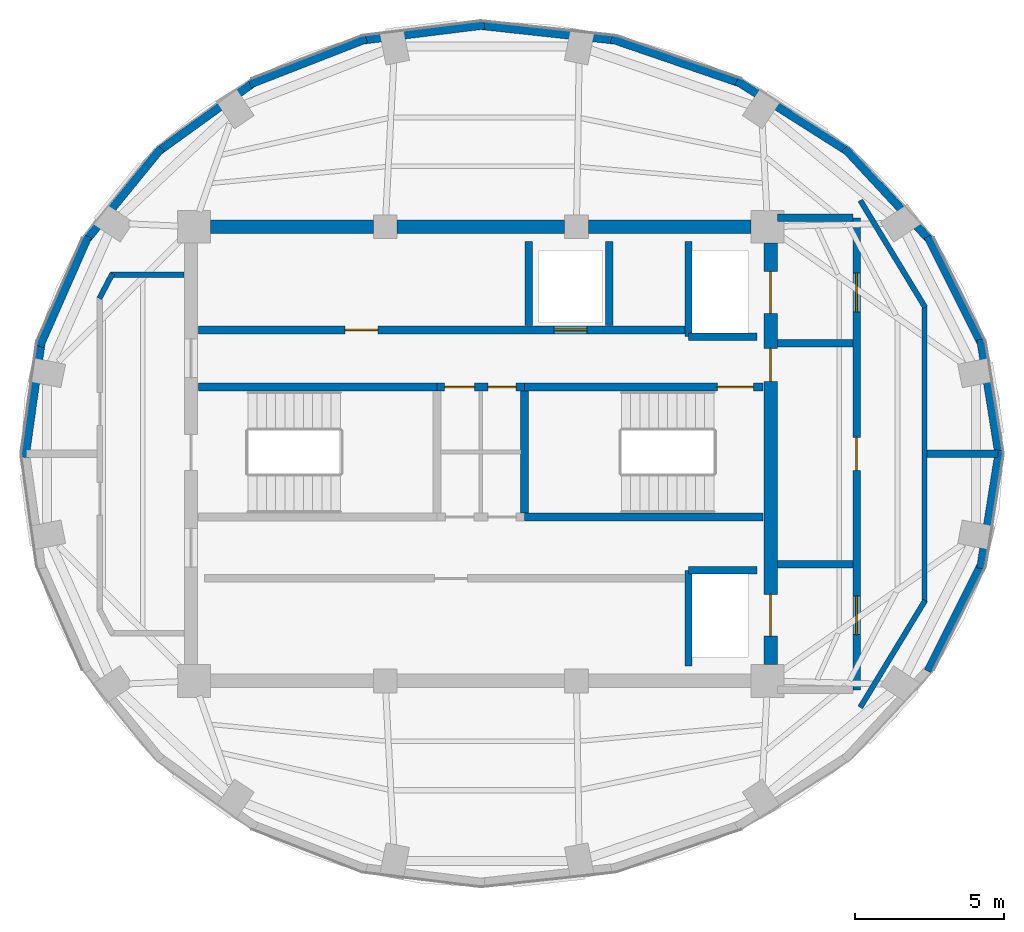
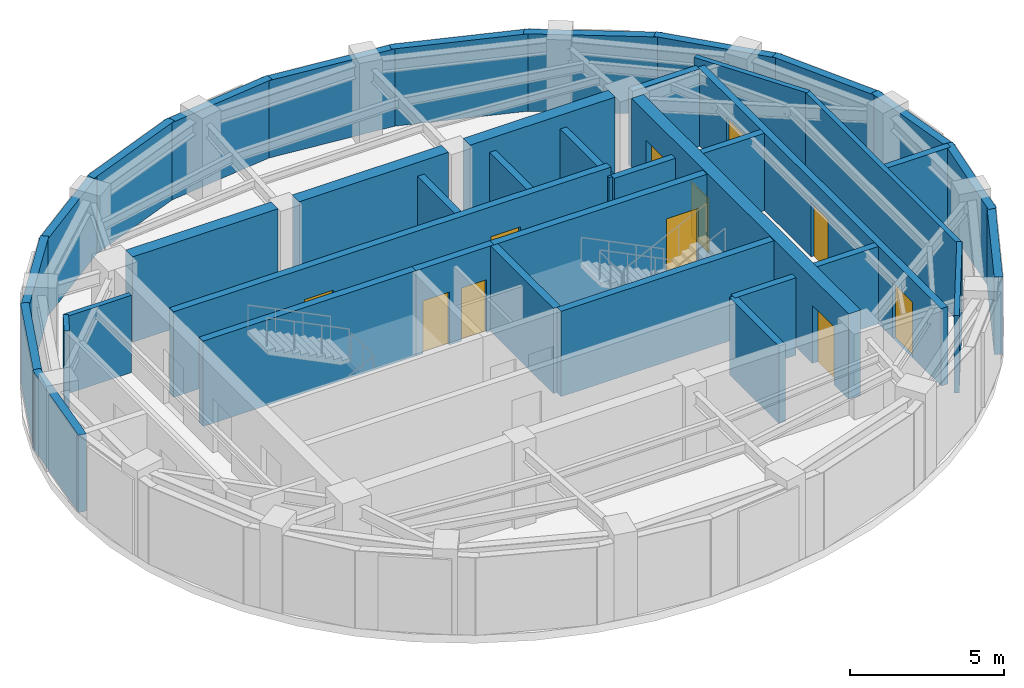
# One storey, part 3 of 5: 40 walls, 11 doors, 11 openings.
"""IFC4 building model written with IfcOpenShell, lengths in metres."""

import ifcopenshell
import ifcopenshell.guid

model = None  # the IFC model being written
_history = None  # IfcOwnerHistory: only IFC2X3 demands one
_inside = {}  # id of a spatial element -> (the spatial element, [elements in it])
_under = {}  # id of a project, library or spatial element -> (it, [spatial elements below it])
_declared = {}  # id of a project -> (the project, [libraries it declares])
_typed = {}  # id of a type object -> (the type object, [elements of that type])
_made_of = {}  # id of a material, layer set ... -> (it, [elements and type objects made of it])


def new_model(schema):
    """Start an empty IFC model of exactly this schema.

    Asked for "IFC4X3", IfcOpenShell would pick the latest addendum, in which some entities
    have other attributes; the version numbers below select the first issue.
    IFC2X3 requires an IfcOwnerHistory on every rooted entity: one is made here for all.
    """
    global model, _history
    if schema == "IFC4X3":
        model = ifcopenshell.file(schema_version=(4, 3, 0, 0))
    else:
        model = ifcopenshell.file(schema=schema)
    _inside.clear()
    _under.clear()
    _declared.clear()
    _typed.clear()
    _made_of.clear()
    _history = None
    if model.schema == "IFC2X3":
        org = make("IfcOrganization", Name="unknown")
        user = make(
            "IfcPersonAndOrganization",
            ThePerson=make("IfcPerson", FamilyName="unknown"),
            TheOrganization=org,
        )
        app = make(
            "IfcApplication",
            ApplicationDeveloper=org,
            Version="unknown",
            ApplicationFullName="unknown",
            ApplicationIdentifier="unknown",
        )
        _history = make(
            "IfcOwnerHistory",
            OwningUser=user,
            OwningApplication=app,
            ChangeAction="ADDED",
            CreationDate=0,
        )
    return model


def make(cls, **values):
    """One entity of the class cls with the attributes given. An attribute that is None is left unset."""
    return model.create_entity(
        cls, **{name: value for name, value in values.items() if value is not None}
    )


def rooted(cls, **values):
    """An entity with a GlobalId (a new one), such as an element, a storey or a relation."""
    return make(cls, GlobalId=ifcopenshell.guid.new(), OwnerHistory=_history, **values)


def si_unit(unit_type, name, prefix=None):
    """IfcSIUnit, for example si_unit("LENGTHUNIT", "METRE", prefix="MILLI")."""
    return make("IfcSIUnit", UnitType=unit_type, Prefix=prefix, Name=name)


def assignment(units):
    """IfcUnitAssignment: the units of a project."""
    return None if units is None else make("IfcUnitAssignment", Units=units)


def point(xyz):
    """IfcCartesianPoint."""
    return None if xyz is None else make("IfcCartesianPoint", Coordinates=xyz)


def direction(xyz):
    """IfcDirection."""
    return None if xyz is None else make("IfcDirection", DirectionRatios=xyz)


def frame(location, z_axis=None, x_axis=None):
    """IfcAxis2Placement3D, a coordinate frame: its origin and axes. An axis left out is left unset."""
    return make(
        "IfcAxis2Placement3D",
        Location=point(location),
        Axis=direction(z_axis),
        RefDirection=direction(x_axis),
    )


def frame_2d(location, x_axis=None):
    """IfcAxis2Placement2D, a coordinate frame in the plane: its origin and x axis."""
    return make(
        "IfcAxis2Placement2D", Location=point(location), RefDirection=direction(x_axis)
    )


def origin():
    """The frame at (0, 0, 0) with its axes left unset."""
    return frame((0.0, 0.0, 0.0))


def place(relative_to, where):
    """IfcLocalPlacement: puts the frame where relative to a parent placement (None: the world)."""
    return make(
        "IfcLocalPlacement", PlacementRelTo=relative_to, RelativePlacement=where
    )


def context(
    kind, dimensions, precision=None, world=None, true_north=None, identifier=None
):
    """IfcGeometricRepresentationContext, for example the 3D "Model" context."""
    return make(
        "IfcGeometricRepresentationContext",
        ContextIdentifier=identifier,
        ContextType=kind,
        CoordinateSpaceDimension=dimensions,
        Precision=precision,
        WorldCoordinateSystem=world,
        TrueNorth=true_north,
    )


def subcontext(parent, identifier, kind, view, scale=None):
    """IfcGeometricRepresentationSubContext, for example "Body" below "Model"."""
    return make(
        "IfcGeometricRepresentationSubContext",
        ContextIdentifier=identifier,
        ContextType=kind,
        ParentContext=parent,
        TargetScale=scale,
        TargetView=view,
    )


def project(units=None, contexts=None):
    """IfcProject with its units and contexts."""
    return rooted(
        "IfcProject",
        Name="project",
        RepresentationContexts=contexts,
        UnitsInContext=assignment(units),
    )


def spatial(cls, under=None, at=None, **own):
    """A site, building, storey or space (cls), placed at a placement, below another one or the project."""
    s = rooted(cls, ObjectPlacement=at, **own)
    if under is not None:
        _under.setdefault(under.id(), (under, []))[1].append(s)
    return s


def profile(cls, at=None, kind="AREA", **sizes):
    """A parametric profile (cls). Its sizes go by their IFC names, for example OverallWidth=200.0."""
    return make(cls, ProfileType=kind, Position=at, **sizes)


def rectangle(**sizes):
    """IfcRectangleProfileDef."""
    return profile("IfcRectangleProfileDef", **sizes)


def extrude(swept, where, along, depth):
    """IfcExtrudedAreaSolid: the profile swept, set in the frame where, extruded along a direction by depth."""
    return make(
        "IfcExtrudedAreaSolid",
        SweptArea=swept,
        Position=where,
        ExtrudedDirection=direction(along),
        Depth=depth,
    )


def shape(context_of_items, identifier, shape_type, items):
    """IfcShapeRepresentation: the items that make up one representation, for example the "Body"."""
    return make(
        "IfcShapeRepresentation",
        ContextOfItems=context_of_items,
        RepresentationIdentifier=identifier,
        RepresentationType=shape_type,
        Items=items,
    )


def material(Name=None, Category=None):
    """IfcMaterial."""
    return make("IfcMaterial", Name=Name, Category=Category)


def layer(
    of_material, thickness, ventilated=None, Name=None, Category=None, Priority=None
):
    """IfcMaterialLayer: one layer of a wall or slab, of a material (None: an air gap)."""
    return make(
        "IfcMaterialLayer",
        Material=of_material,
        LayerThickness=thickness,
        IsVentilated=ventilated,
        Name=Name,
        Category=Category,
        Priority=Priority,
    )


def layer_set(layers, Name=None):
    """IfcMaterialLayerSet."""
    return make("IfcMaterialLayerSet", MaterialLayers=layers, LayerSetName=Name)


def made_of(thing, what):
    """Note that an element or type object is made of a material, layer set ...; save() writes the relation."""
    if what is not None:
        _made_of.setdefault(what.id(), (what, []))[1].append(thing)
    return thing


def type_object(cls, material=None, **own):
    """A type object (cls), such as IfcWallType, which elements share."""
    return made_of(rooted(cls, **own), material)


def element(
    cls,
    number,
    at=None,
    inside=None,
    cuts=None,
    type_object=None,
    material=None,
    context=None,
    identifier="Body",
    shape_type=None,
    held_by="IfcProductDefinitionShape",
    body=None,
    shapes=None,
    **own,
):
    """One element of the class cls, such as IfcWall. Its Tag is "e" and its number.

    at: its placement. inside: the storey or other place that contains it. cuts: it is an
    opening in that element (IfcRelVoidsElement). A single representation is given by context,
    identifier, shape_type and body (its items); several are given by shapes. held_by: the class
    of the entity that holds the representations. save() writes the other relations.
    """
    e = rooted(cls, Tag="e%d" % number, ObjectPlacement=at, **own)
    if body is not None:
        shapes = [shape(context, identifier, shape_type, body)]
    if shapes is not None:
        e.Representation = make(held_by, Representations=shapes)
    if inside is not None:
        _inside.setdefault(inside.id(), (inside, []))[1].append(e)
    if cuts is not None:
        rooted(
            "IfcRelVoidsElement", RelatingBuildingElement=cuts, RelatedOpeningElement=e
        )
    if type_object is not None:
        _typed.setdefault(type_object.id(), (type_object, []))[1].append(e)
    return made_of(e, material)


def fill(opening, filler):
    """IfcRelFillsElement: the door or window that sits in an opening."""
    return rooted(
        "IfcRelFillsElement",
        RelatingOpeningElement=opening,
        RelatedBuildingElement=filler,
    )


def aggregate(whole, parts):
    """IfcRelAggregates: a whole, such as a stair, and the parts it consists of."""
    return rooted("IfcRelAggregates", RelatingObject=whole, RelatedObjects=parts)


def save(model, path):
    """Write the relations noted so far, then the file.

    IfcRelAggregates (storeys below a building ...), IfcRelContainedInSpatialStructure (elements
    in a storey), IfcRelDefinesByType, IfcRelAssociatesMaterial and IfcRelDeclares: one each for
    every whole, place, type object, material and project.
    """
    for whole, parts in _under.values():
        aggregate(whole, parts)
    for where, things in _inside.values():
        rooted(
            "IfcRelContainedInSpatialStructure",
            RelatedElements=things,
            RelatingStructure=where,
        )
    for kind, things in _typed.values():
        rooted("IfcRelDefinesByType", RelatedObjects=things, RelatingType=kind)
    for what, things in _made_of.values():
        rooted("IfcRelAssociatesMaterial", RelatedObjects=things, RelatingMaterial=what)
    for by, libraries in _declared.values():
        rooted("IfcRelDeclares", RelatingContext=by, RelatedDefinitions=libraries)
    model.write(path)


model = new_model("IFC4")

# Units and contexts
model_context = context("Model", 3, precision=1e-05, world=origin(), true_north=direction((0.0, 1.0)))
body_context = subcontext(model_context, "Body", "Model", "MODEL_VIEW")
ifc_project = project(units=[si_unit("LENGTHUNIT", "METRE"), si_unit("AREAUNIT", "SQUARE_METRE"), si_unit("VOLUMEUNIT", "CUBIC_METRE"), si_unit("PLANEANGLEUNIT", "RADIAN"), si_unit("MASSUNIT", "GRAM", prefix="KILO")], contexts=[model_context])

# Site, building, storey
site_placement = place(None, origin())
site = spatial("IfcSite", under=ifc_project, at=site_placement, CompositionType="ELEMENT")
building_placement = place(site_placement, origin())
building = spatial("IfcBuilding", under=site, at=building_placement, Name="Lazwardi Medical Tower", CompositionType="ELEMENT")
storey_placement = place(building_placement, frame((0.0, 0.0, 305.8359375)))
storey = spatial("IfcBuildingStorey", under=building, at=storey_placement, Name="L80", CompositionType="ELEMENT", Elevation=305.8359375)

# Walls
ifc_material_1 = material(Name="Fire-rated gypsum board on steel stud", Category="steel")
ifc_layer_1 = layer(ifc_material_1, 0.179931640625)
ifc_layer_set_1 = layer_set([ifc_layer_1], Name="Fire-rated gypsum board on steel stud")
wall_type_1 = type_object("IfcWallType", Name="WL-COR-180", PredefinedType="PARTITIONING", material=ifc_layer_set_1)
wall_1_placement = place(storey_placement, frame((48.69921875, 36.484619140625, 0.0), z_axis=(0.0, 0.0, 1.0), x_axis=(0.518614420457, -0.855008235571, 0.0)))
element("IfcWall", 1, at=wall_1_placement, inside=storey, type_object=wall_type_1, Name="L80 Corridor partition 1", PredefinedType="PARTITIONING", context=body_context, shape_type="SweptSolid", body=[
    extrude(rectangle(XDim=4.18701171875, YDim=0.179931640625, at=frame_2d((2.093505859375, 0.0))), origin(), (0.0, 0.0, 1.0), 3.068115234375),
])
wall_2_placement = place(storey_placement, frame((50.85009765625, 32.97900390625, 0.0), z_axis=(0.0, 0.0, 1.0), x_axis=(0.0, -1.0, 0.0)))
element("IfcWall", 2, at=wall_2_placement, inside=storey, type_object=wall_type_1, Name="L80 Corridor partition 2", PredefinedType="PARTITIONING", context=body_context, shape_type="SweptSolid", body=[
    extrude(rectangle(XDim=9.9580078125, YDim=0.179931640625, at=frame_2d((4.97900390625, 0.0))), origin(), (0.0, 0.0, 1.0), 3.068115234375),
])
wall_3_placement = place(storey_placement, frame((50.87060546875, 23.09521484375, 0.0), z_axis=(0.0, 0.0, 1.0), x_axis=(-0.518614420457, -0.855008235571, 0.0)))
element("IfcWall", 3, at=wall_3_placement, inside=storey, type_object=wall_type_1, Name="L80 Corridor partition 3", PredefinedType="PARTITIONING", context=body_context, shape_type="SweptSolid", body=[
    extrude(rectangle(XDim=4.18701171875, YDim=0.179931640625, at=frame_2d((2.093505859375, 0.0))), origin(), (0.0, 0.0, 1.0), 3.068115234375),
])
wall_4_placement = place(storey_placement, frame((23.231201171875, 33.19921875, 0.0), z_axis=(0.0, 0.0, 1.0), x_axis=(0.466427533163, 0.884559413667, 0.0)))
element("IfcWall", 4, at=wall_4_placement, inside=storey, type_object=wall_type_1, Name="L80 Corridor partition 7", PredefinedType="PARTITIONING", context=body_context, shape_type="SweptSolid", body=[
    extrude(rectangle(XDim=0.9453125, YDim=0.179931640625, at=frame_2d((0.47265625, 0.0))), origin(), (0.0, 0.0, 1.0), 3.068115234375),
])
wall_5_placement = place(storey_placement, frame((23.613525390625, 34.0, 0.0), z_axis=(0.0, 0.0, 1.0), x_axis=(1.0, 0.0, 0.0)))
element("IfcWall", 5, at=wall_5_placement, inside=storey, type_object=wall_type_1, Name="L80 Corridor partition 8", PredefinedType="PARTITIONING", context=body_context, shape_type="SweptSolid", body=[
    extrude(rectangle(XDim=2.446533203125, YDim=0.179931640625, at=frame_2d((1.22314453125, 0.0))), origin(), (0.0, 0.0, 1.0), 3.068115234375),
])

# Wall, openings, doors
ifc_material_2 = material(Name="Concrete C60/75", Category="concrete")
ifc_layer_2 = layer(ifc_material_2, 0.449951171875)
ifc_layer_set_2 = layer_set([ifc_layer_2], Name="Concrete C60/75")
wall_type_2 = type_object("IfcWallType", Name="WL-CORE-450", PredefinedType="SHEAR", material=ifc_layer_set_2)
wall_6_placement = place(storey_placement, frame((45.699951171875, 20.949951171875, 0.0), z_axis=(0.0, 0.0, 1.0), x_axis=(0.0, 1.0, 0.0)))
wall_6 = element("IfcWall", 6, at=wall_6_placement, inside=storey, type_object=wall_type_2, Name="Core wall CW-S4 east L80", PredefinedType="SHEAR", context=body_context, shape_type="SweptSolid", body=[
    extrude(rectangle(XDim=14.10009765625, YDim=0.449951171875, at=frame_2d((7.050048828125, 0.0))), origin(), (0.0, 0.0, 1.0), 3.38818359375),
])
opening_1_placement = place(wall_6_placement, frame((11.75, 0.0, 0.0)))
opening_1 = element("IfcOpeningElement", 7, at=opening_1_placement, cuts=wall_6, Name="Opening LD-L80-001", PredefinedType="OPENING", context=body_context, shape_type="SweptSolid", body=[
    extrude(rectangle(XDim=1.39990234375, YDim=2.300048828125, at=frame_2d((0.699951171875, 1.14990234375))), frame((0.0, 0.23486328125, 0.0), z_axis=(0.0, -1.0, 0.0), x_axis=(1.0, 0.0, 0.0)), (0.0, 0.0, 1.0), 0.469970703125),
])
opening_2_placement = place(wall_6_placement, frame((0.949951171875, 0.0, 0.0)))
opening_2 = element("IfcOpeningElement", 8, at=opening_2_placement, cuts=wall_6, Name="Opening LD-L80-002", PredefinedType="OPENING", context=body_context, shape_type="SweptSolid", body=[
    extrude(rectangle(XDim=1.39990234375, YDim=2.300048828125, at=frame_2d((0.699951171875, 1.14990234375))), frame((0.0, 0.23486328125, 0.0), z_axis=(0.0, -1.0, 0.0), x_axis=(1.0, 0.0, 0.0)), (0.0, 0.0, 1.0), 0.469970703125),
])
opening_3_placement = place(wall_6_placement, frame((9.47998046875, 0.0, 0.0)))
opening_3 = element("IfcOpeningElement", 9, at=opening_3_placement, cuts=wall_6, Name="Opening D-L80-008", PredefinedType="OPENING", context=body_context, shape_type="SweptSolid", body=[
    extrude(rectangle(XDim=1.10009765625, YDim=2.14990234375, at=frame_2d((0.550048828125, 1.074951171875))), frame((0.0, 0.23486328125, 0.0), z_axis=(0.0, -1.0, 0.0), x_axis=(1.0, 0.0, 0.0)), (0.0, 0.0, 1.0), 0.469970703125),
])
ifc_material_3 = material(Name="Brushed stainless steel bed-lift landing door", Category="steel")
door_type_1 = type_object("IfcDoorType", Name="DR-LFT-1400", OperationType="NOTDEFINED", PredefinedType="DOOR", material=ifc_material_3)
door_1_placement = place(opening_1_placement, origin())
door_1 = element("IfcDoor", 10, at=door_1_placement, inside=storey, type_object=door_type_1, Name="L80 Lift Landing Door FL-01", OperationType="SLIDING_TO_LEFT", OverallHeight=2.300048828125, OverallWidth=1.39990234375, PredefinedType="DOOR", context=body_context, shape_type="SweptSolid", body=[
    extrude(rectangle(XDim=1.39990234375, YDim=2.300048828125, at=frame_2d((0.699951171875, 1.14990234375))), frame((0.0, 0.02490234375, 0.0), z_axis=(0.0, -1.0, 0.0), x_axis=(1.0, 0.0, 0.0)), (0.0, 0.0, 1.0), 0.050048828125),
])
fill(opening_1, door_1)
door_2_placement = place(opening_2_placement, origin())
door_2 = element("IfcDoor", 11, at=door_2_placement, inside=storey, type_object=door_type_1, Name="L80 Lift Landing Door FL-02", OperationType="SLIDING_TO_LEFT", OverallHeight=2.300048828125, OverallWidth=1.39990234375, PredefinedType="DOOR", context=body_context, shape_type="SweptSolid", body=[
    extrude(rectangle(XDim=1.39990234375, YDim=2.300048828125, at=frame_2d((0.699951171875, 1.14990234375))), frame((0.0, 0.02490234375, 0.0), z_axis=(0.0, -1.0, 0.0), x_axis=(1.0, 0.0, 0.0)), (0.0, 0.0, 1.0), 0.050048828125),
])
fill(opening_2, door_2)
ifc_material_4 = material(Name="Fire-rated steel leaf and frame", Category="steel")
door_type_2 = type_object("IfcDoorType", Name="DR-PLT-1100", OperationType="NOTDEFINED", PredefinedType="DOOR", material=ifc_material_4)
door_3_placement = place(opening_3_placement, origin())
door_3 = element("IfcDoor", 12, at=door_3_placement, inside=storey, type_object=door_type_2, Name="L80 Core Plant Lobby Transfer Door", OperationType="SINGLE_SWING_RIGHT", OverallHeight=2.14990234375, OverallWidth=1.10009765625, PredefinedType="DOOR", context=body_context, shape_type="SweptSolid", body=[
    extrude(rectangle(XDim=1.10009765625, YDim=2.14990234375, at=frame_2d((0.550048828125, 1.074951171875))), frame((0.0, 0.02490234375, 0.0), z_axis=(0.0, -1.0, 0.0), x_axis=(1.0, 0.0, 0.0)), (0.0, 0.0, 1.0), 0.050048828125),
])
fill(opening_3, door_3)

# Walls
wall_7_placement = place(storey_placement, frame((26.949951171875, 35.60009765625, 0.0), z_axis=(0.0, 0.0, 1.0), x_axis=(1.0, 0.0, 0.0)))
element("IfcWall", 13, at=wall_7_placement, inside=storey, type_object=wall_type_2, Name="Core wall CW-S4 N1 L80", PredefinedType="SHEAR", context=body_context, shape_type="SweptSolid", body=[
    extrude(rectangle(XDim=5.449951171875, YDim=0.449951171875, at=frame_2d((2.72509765625, 0.0))), origin(), (0.0, 0.0, 1.0), 3.38818359375),
])
wall_8_placement = place(storey_placement, frame((33.199951171875, 35.60009765625, 0.0), z_axis=(0.0, 0.0, 1.0), x_axis=(1.0, 0.0, 0.0)))
element("IfcWall", 14, at=wall_8_placement, inside=storey, type_object=wall_type_2, Name="Core wall CW-S4 N2 L80", PredefinedType="SHEAR", context=body_context, shape_type="SweptSolid", body=[
    extrude(rectangle(XDim=5.60009765625, YDim=0.449951171875, at=frame_2d((2.800048828125, 0.0))), origin(), (0.0, 0.0, 1.0), 3.38818359375),
])
wall_9_placement = place(storey_placement, frame((39.60009765625, 35.60009765625, 0.0), z_axis=(0.0, 0.0, 1.0), x_axis=(1.0, 0.0, 0.0)))
element("IfcWall", 15, at=wall_9_placement, inside=storey, type_object=wall_type_2, Name="Core wall CW-S4 N3 L80", PredefinedType="SHEAR", context=body_context, shape_type="SweptSolid", body=[
    extrude(rectangle(XDim=5.449951171875, YDim=0.449951171875, at=frame_2d((2.72509765625, 0.0))), origin(), (0.0, 0.0, 1.0), 3.38818359375),
])
ifc_material_5 = material(Name="Precast concrete C45/55", Category="concrete")
ifc_layer_3 = layer(ifc_material_5, 0.280029296875)
ifc_layer_set_3 = layer_set([ifc_layer_3], Name="Precast concrete C45/55")
wall_type_3 = type_object("IfcWallType", Name="WL-DRUM-280", PredefinedType="SOLIDWALL", material=ifc_layer_set_3)
wall_10_placement = place(storey_placement, frame((50.963134765625, 20.72265625, 0.0), z_axis=(0.0, 0.0, 1.0), x_axis=(0.447855311217, 0.894106045285, 0.0)))
element("IfcWall", 16, at=wall_10_placement, inside=storey, type_object=wall_type_3, Name="L80 Crown Plant Drum Wall 05", PredefinedType="SOLIDWALL", context=body_context, shape_type="SweptSolid", body=[
    extrude(rectangle(XDim=4.108154296875, YDim=0.280029296875, at=frame_2d((2.05419921875, 0.0))), origin(), (0.0, 0.0, 1.0), 3.068115234375),
])
for number, where, z_axis, x_axis, name in (
    (17, (52.730224609375, 24.169921875, 0.0), (0.0, 0.0, 1.0), (0.157235511094, 0.987561134336, 0.0), "L80 Crown Plant Drum Wall 06"),
    (18, (53.35888671875, 27.881591796875, 0.0), (0.0, 0.0, 1.0), (-0.157235511094, 0.987561134336, 0.0), "L80 Crown Plant Drum Wall 07"),
):
    element("IfcWall", number, at=place(storey_placement, frame(where, z_axis=z_axis, x_axis=x_axis)), inside=storey, type_object=wall_type_3, Name=name, PredefinedType="SOLIDWALL", context=body_context, shape_type="SweptSolid", body=[
        extrude(rectangle(XDim=3.998291015625, YDim=0.280029296875, at=frame_2d((1.9990234375, 0.0))), origin(), (0.0, 0.0, 1.0), 3.068115234375),
    ])
wall_11_placement = place(storey_placement, frame((52.802978515625, 31.604248046875, 0.0), z_axis=(0.0, 0.0, 1.0), x_axis=(-0.447855311217, 0.894106045285, 0.0)))
element("IfcWall", 19, at=wall_11_placement, inside=storey, type_object=wall_type_3, Name="L80 Crown Plant Drum Wall 08", PredefinedType="SOLIDWALL", context=body_context, shape_type="SweptSolid", body=[
    extrude(rectangle(XDim=4.108154296875, YDim=0.280029296875, at=frame_2d((2.05419921875, 0.0))), origin(), (0.0, 0.0, 1.0), 3.068115234375),
])
wall_12_placement = place(storey_placement, frame((51.098388671875, 35.08203125, 0.0), z_axis=(0.0, 0.0, 1.0), x_axis=(-0.680156447476, 0.733066986678, 0.0)))
element("IfcWall", 20, at=wall_12_placement, inside=storey, type_object=wall_type_3, Name="L80 Crown Plant Drum Wall 09", PredefinedType="SOLIDWALL", context=body_context, shape_type="SweptSolid", body=[
    extrude(rectangle(XDim=4.291259765625, YDim=0.280029296875, at=frame_2d((2.1455078125, 0.0))), origin(), (0.0, 0.0, 1.0), 3.068115234375),
])
wall_13_placement = place(storey_placement, frame((48.362548828125, 38.07568359375, 0.0), z_axis=(0.0, 0.0, 1.0), x_axis=(-0.84435210997, 0.535788684454, 0.0)))
element("IfcWall", 21, at=wall_13_placement, inside=storey, type_object=wall_type_3, Name="L80 Crown Plant Drum Wall 10", PredefinedType="SOLIDWALL", context=body_context, shape_type="SweptSolid", body=[
    extrude(rectangle(XDim=4.493408203125, YDim=0.280029296875, at=frame_2d((2.24658203125, 0.0))), origin(), (0.0, 0.0, 1.0), 3.068115234375),
])
wall_14_placement = place(storey_placement, frame((44.783447265625, 40.3798828125, 0.0), z_axis=(0.0, 0.0, 1.0), x_axis=(-0.946020767408, 0.324106012955, 0.0)))
element("IfcWall", 22, at=wall_14_placement, inside=storey, type_object=wall_type_3, Name="L80 Crown Plant Drum Wall 11", PredefinedType="SOLIDWALL", context=body_context, shape_type="SweptSolid", body=[
    extrude(rectangle(XDim=4.660400390625, YDim=0.280029296875, at=frame_2d((2.330078125, 0.0))), origin(), (0.0, 0.0, 1.0), 3.068115234375),
])
wall_15_placement = place(storey_placement, frame((40.607177734375, 41.83837890625, 0.0), z_axis=(0.0, 0.0, 1.0), x_axis=(-0.994124299368, 0.108244525985, 0.0)))
element("IfcWall", 23, at=wall_15_placement, inside=storey, type_object=wall_type_3, Name="L80 Crown Plant Drum Wall 12", PredefinedType="SOLIDWALL", context=body_context, shape_type="SweptSolid", body=[
    extrude(rectangle(XDim=4.75439453125, YDim=0.280029296875, at=frame_2d((2.377197265625, 0.0))), origin(), (0.0, 0.0, 1.0), 3.068115234375),
])
wall_16_placement = place(storey_placement, frame((36.119140625, 42.354736328125, 0.0), z_axis=(0.0, 0.0, 1.0), x_axis=(-0.992416279723, -0.122922446041, 0.0)))
element("IfcWall", 24, at=wall_16_placement, inside=storey, type_object=wall_type_3, Name="L80 Crown Plant Drum Wall 13", PredefinedType="SOLIDWALL", context=body_context, shape_type="SweptSolid", body=[
    extrude(rectangle(XDim=4.214599609375, YDim=0.280029296875, at=frame_2d((2.107421875, 0.0))), origin(), (0.0, 0.0, 1.0), 3.068115234375),
])
wall_17_placement = place(storey_placement, frame((32.16748046875, 41.89501953125, 0.0), z_axis=(0.0, 0.0, 1.0), x_axis=(-0.931727407844, -0.363158419249, 0.0)))
element("IfcWall", 25, at=wall_17_placement, inside=storey, type_object=wall_type_3, Name="L80 Crown Plant Drum Wall 14", PredefinedType="SOLIDWALL", context=body_context, shape_type="SweptSolid", body=[
    extrude(rectangle(XDim=4.184814453125, YDim=0.280029296875, at=frame_2d((2.09228515625, 0.0))), origin(), (0.0, 0.0, 1.0), 3.068115234375),
])
wall_18_placement = place(storey_placement, frame((28.477294921875, 40.489013671875, 0.0), z_axis=(0.0, 0.0, 1.0), x_axis=(-0.810749316968, -0.585393495895, 0.0)))
element("IfcWall", 26, at=wall_18_placement, inside=storey, type_object=wall_type_3, Name="L80 Crown Plant Drum Wall 15", PredefinedType="SOLIDWALL", context=body_context, shape_type="SweptSolid", body=[
    extrude(rectangle(XDim=4.133056640625, YDim=0.280029296875, at=frame_2d((2.06640625, 0.0))), origin(), (0.0, 0.0, 1.0), 3.068115234375),
])
wall_19_placement = place(storey_placement, frame((25.299560546875, 38.23291015625, 0.0), z_axis=(0.0, 0.0, 1.0), x_axis=(-0.631957150792, -0.775003328743, 0.0)))
element("IfcWall", 27, at=wall_19_placement, inside=storey, type_object=wall_type_3, Name="L80 Crown Plant Drum Wall 16", PredefinedType="SOLIDWALL", context=body_context, shape_type="SweptSolid", body=[
    extrude(rectangle(XDim=4.072265625, YDim=0.280029296875, at=frame_2d((2.0361328125, 0.0))), origin(), (0.0, 0.0, 1.0), 3.068115234375),
])
wall_20_placement = place(storey_placement, frame((22.85009765625, 35.27978515625, 0.0), z_axis=(0.0, 0.0, 1.0), x_axis=(-0.402911662576, -0.915238871639, 0.0)))
element("IfcWall", 28, at=wall_20_placement, inside=storey, type_object=wall_type_3, Name="L80 Crown Plant Drum Wall 17", PredefinedType="SOLIDWALL", context=body_context, shape_type="SweptSolid", body=[
    extrude(rectangle(XDim=4.0185546875, YDim=0.280029296875, at=frame_2d((2.00927734375, 0.0))), origin(), (0.0, 0.0, 1.0), 3.068115234375),
])
wall_21_placement = place(storey_placement, frame((21.2958984375, 31.830322265625, 0.0), z_axis=(0.0, 0.0, 1.0), x_axis=(-0.13854936703, -0.990355528533, 0.0)))
element("IfcWall", 29, at=wall_21_placement, inside=storey, type_object=wall_type_3, Name="L80 Crown Plant Drum Wall 18", PredefinedType="SOLIDWALL", context=body_context, shape_type="SweptSolid", body=[
    extrude(rectangle(XDim=3.98779296875, YDim=0.280029296875, at=frame_2d((1.993896484375, 0.0))), origin(), (0.0, 0.0, 1.0), 3.068115234375),
])
ifc_material_6 = material(Name="Autoclaved aerated concrete blockwork", Category="masonry")
ifc_layer_4 = layer(ifc_material_6, 0.25)
ifc_layer_set_4 = layer_set([ifc_layer_4], Name="Autoclaved aerated concrete blockwork")
wall_type_4 = type_object("IfcWallType", Name="WL-SHAFT-250", PredefinedType="SOLIDWALL", material=ifc_layer_set_4)
wall_22_placement = place(storey_placement, frame((42.949951171875, 31.919921875, 0.0), z_axis=(0.0, 0.0, 1.0), x_axis=(0.0, 1.0, 0.0)))
element("IfcWall", 30, at=wall_22_placement, inside=storey, type_object=wall_type_4, Name="L80 FL-01 West shaft wall", PredefinedType="SOLIDWALL", context=body_context, shape_type="SweptSolid", body=[
    extrude(rectangle(XDim=3.18017578125, YDim=0.25, at=frame_2d((1.590087890625, 0.0))), origin(), (0.0, 0.0, 1.0), 3.068115234375),
])
wall_23_placement = place(storey_placement, frame((42.949951171875, 31.919921875, 0.0), z_axis=(0.0, 0.0, 1.0), x_axis=(1.0, 0.0, 0.0)))
element("IfcWall", 31, at=wall_23_placement, inside=storey, type_object=wall_type_4, Name="L80 FL-01 South shaft wall", PredefinedType="SOLIDWALL", context=body_context, shape_type="SweptSolid", body=[
    extrude(rectangle(XDim=2.300048828125, YDim=0.25, at=frame_2d((1.14990234375, 0.0))), origin(), (0.0, 0.0, 1.0), 3.068115234375),
])
wall_24_placement = place(storey_placement, frame((42.949951171875, 20.89990234375, 0.0), z_axis=(0.0, 0.0, 1.0), x_axis=(0.0, 1.0, 0.0)))
element("IfcWall", 32, at=wall_24_placement, inside=storey, type_object=wall_type_4, Name="L80 FL-02 West shaft wall", PredefinedType="SOLIDWALL", context=body_context, shape_type="SweptSolid", body=[
    extrude(rectangle(XDim=3.2001953125, YDim=0.25, at=frame_2d((1.60009765625, 0.0))), origin(), (0.0, 0.0, 1.0), 3.068115234375),
])
wall_25_placement = place(storey_placement, frame((42.949951171875, 24.10009765625, 0.0), z_axis=(0.0, 0.0, 1.0), x_axis=(1.0, 0.0, 0.0)))
element("IfcWall", 33, at=wall_25_placement, inside=storey, type_object=wall_type_4, Name="L80 FL-02 North shaft wall", PredefinedType="SOLIDWALL", context=body_context, shape_type="SweptSolid", body=[
    extrude(rectangle(XDim=2.300048828125, YDim=0.25, at=frame_2d((1.14990234375, 0.0))), origin(), (0.0, 0.0, 1.0), 3.068115234375),
])
for number, where, z_axis, x_axis, name in (
    (34, (37.60009765625, 32.300048828125, 0.0), (0.0, 0.0, 1.0), (0.0, 1.0, 0.0), "L80 PL-09 West hoistway divider"),
    (35, (40.300048828125, 32.300048828125, 0.0), (0.0, 0.0, 1.0), (0.0, 1.0, 0.0), "L80 PL-09 East hoistway divider"),
):
    element("IfcWall", number, at=place(storey_placement, frame(where, z_axis=z_axis, x_axis=x_axis)), inside=storey, type_object=wall_type_4, Name=name, PredefinedType="SOLIDWALL", context=body_context, shape_type="SweptSolid", body=[
        extrude(rectangle(XDim=2.800048828125, YDim=0.25, at=frame_2d((1.39990234375, 0.0))), origin(), (0.0, 0.0, 1.0), 3.068115234375),
    ])

# Wall, openings, doors
wall_26_placement = place(storey_placement, frame((48.580078125, 20.10009765625, 0.0), z_axis=(0.0, 0.0, 1.0), x_axis=(0.0, 1.0, 0.0)))
wall_26 = element("IfcWall", 36, at=wall_26_placement, inside=storey, type_object=wall_type_4, Name="L80 Crown FFL East wall", PredefinedType="SOLIDWALL", context=body_context, shape_type="SweptSolid", body=[
    extrude(rectangle(XDim=15.7998046875, YDim=0.25, at=frame_2d((7.89990234375, 0.0))), origin(), (0.0, 0.0, 1.0), 3.068115234375),
])
opening_4_placement = place(wall_26_placement, frame((12.64990234375, 0.0, 0.0)))
opening_4 = element("IfcOpeningElement", 37, at=opening_4_placement, cuts=wall_26, Name="Opening D-L80-006", PredefinedType="OPENING", context=body_context, shape_type="SweptSolid", body=[
    extrude(rectangle(XDim=1.300048828125, YDim=2.199951171875, at=frame_2d((0.64990234375, 1.10009765625))), frame((0.0, 0.135009765625, 0.0), z_axis=(0.0, -1.0, 0.0), x_axis=(1.0, 0.0, 0.0)), (0.0, 0.0, 1.0), 0.27001953125),
])
opening_5_placement = place(wall_26_placement, frame((7.35009765625, 0.0, 0.0)))
opening_5 = element("IfcOpeningElement", 38, at=opening_5_placement, cuts=wall_26, Name="Opening D-L80-005", PredefinedType="OPENING", context=body_context, shape_type="SweptSolid", body=[
    extrude(rectangle(XDim=1.10009765625, YDim=2.14990234375, at=frame_2d((0.550048828125, 1.074951171875))), frame((0.0, 0.135009765625, 0.0), z_axis=(0.0, -1.0, 0.0), x_axis=(1.0, 0.0, 0.0)), (0.0, 0.0, 1.0), 0.27001953125),
])
opening_6_placement = place(wall_26_placement, frame((1.85009765625, 0.0, 0.0)))
opening_6 = element("IfcOpeningElement", 39, at=opening_6_placement, cuts=wall_26, Name="Opening D-L80-007", PredefinedType="OPENING", context=body_context, shape_type="SweptSolid", body=[
    extrude(rectangle(XDim=1.300048828125, YDim=2.199951171875, at=frame_2d((0.64990234375, 1.10009765625))), frame((0.0, 0.135009765625, 0.0), z_axis=(0.0, -1.0, 0.0), x_axis=(1.0, 0.0, 0.0)), (0.0, 0.0, 1.0), 0.27001953125),
])
door_type_3 = type_object("IfcDoorType", Name="DR-FFL-1300", OperationType="NOTDEFINED", PredefinedType="DOOR", material=ifc_material_4)
door_4_placement = place(opening_4_placement, origin())
door_4 = element("IfcDoor", 40, at=door_4_placement, inside=storey, type_object=door_type_3, Name="L80 FFL North Door", OperationType="SINGLE_SWING_LEFT", OverallHeight=2.199951171875, OverallWidth=1.300048828125, PredefinedType="DOOR", context=body_context, shape_type="SweptSolid", body=[
    extrude(rectangle(XDim=1.300048828125, YDim=2.199951171875, at=frame_2d((0.64990234375, 1.10009765625))), frame((0.0, 0.02490234375, 0.0), z_axis=(0.0, -1.0, 0.0), x_axis=(1.0, 0.0, 0.0)), (0.0, 0.0, 1.0), 0.050048828125),
])
fill(opening_4, door_4)
door_5_placement = place(opening_6_placement, origin())
door_5 = element("IfcDoor", 41, at=door_5_placement, inside=storey, type_object=door_type_3, Name="L80 FFL South Door", OperationType="SINGLE_SWING_LEFT", OverallHeight=2.199951171875, OverallWidth=1.300048828125, PredefinedType="DOOR", context=body_context, shape_type="SweptSolid", body=[
    extrude(rectangle(XDim=1.300048828125, YDim=2.199951171875, at=frame_2d((0.64990234375, 1.10009765625))), frame((0.0, 0.02490234375, 0.0), z_axis=(0.0, -1.0, 0.0), x_axis=(1.0, 0.0, 0.0)), (0.0, 0.0, 1.0), 0.050048828125),
])
fill(opening_6, door_5)
door_6_placement = place(opening_5_placement, origin())
door_6 = element("IfcDoor", 42, at=door_6_placement, inside=storey, type_object=door_type_2, Name="L80 Plant Lobby Door", OperationType="SINGLE_SWING_RIGHT", OverallHeight=2.14990234375, OverallWidth=1.10009765625, PredefinedType="DOOR", context=body_context, shape_type="SweptSolid", body=[
    extrude(rectangle(XDim=1.10009765625, YDim=2.14990234375, at=frame_2d((0.550048828125, 1.074951171875))), frame((0.0, 0.02490234375, 0.0), z_axis=(0.0, -1.0, 0.0), x_axis=(1.0, 0.0, 0.0)), (0.0, 0.0, 1.0), 0.050048828125),
])
fill(opening_5, door_6)

# Walls
for number, where, z_axis, x_axis, name in (
    (43, (45.929931640625, 35.89990234375, 0.0), (0.0, 0.0, 1.0), (1.0, 0.0, 0.0), "L80 Crown FFL-N North wall"),
    (44, (45.929931640625, 31.699951171875, 0.0), (0.0, 0.0, 1.0), (1.0, 0.0, 0.0), "L80 Crown FFL-N South wall"),
    (45, (45.929931640625, 24.300048828125, 0.0), (0.0, 0.0, 1.0), (1.0, 0.0, 0.0), "L80 Crown FFL-S North wall"),
):
    element("IfcWall", number, at=place(storey_placement, frame(where, z_axis=z_axis, x_axis=x_axis)), inside=storey, type_object=wall_type_4, Name=name, PredefinedType="SOLIDWALL", context=body_context, shape_type="SweptSolid", body=[
        extrude(rectangle(XDim=2.52001953125, YDim=0.25, at=frame_2d((1.260009765625, 0.0))), origin(), (0.0, 0.0, 1.0), 3.068115234375),
    ])
wall_27_placement = place(storey_placement, frame((50.93994140625, 28.0, 0.0), z_axis=(0.0, 0.0, 1.0), x_axis=(1.0, 0.0, 0.0)))
element("IfcWall", 46, at=wall_27_placement, inside=storey, type_object=wall_type_4, Name="L80 Room partition 2", PredefinedType="SOLIDWALL", context=body_context, shape_type="SweptSolid", body=[
    extrude(rectangle(XDim=2.364990234375, YDim=0.25, at=frame_2d((1.1826171875, 0.0))), origin(), (0.0, 0.0, 1.0), 3.068115234375),
])
ifc_material_7 = material(Name="Concrete C50/60", Category="concrete")
ifc_layer_5 = layer(ifc_material_7, 0.27001953125)
ifc_layer_set_5 = layer_set([ifc_layer_5], Name="Concrete C50/60")
wall_type_5 = type_object("IfcWallType", Name="WL-STR-250", PredefinedType="SHEAR", material=ifc_layer_set_5)
wall_28_placement = place(storey_placement, frame((26.550048828125, 30.235107421875, 0.0), z_axis=(0.0, 0.0, 1.0), x_axis=(1.0, 0.0, 0.0)))
element("IfcWall", 47, at=wall_28_placement, inside=storey, type_object=wall_type_5, Name="L80 ST1 North shear shaft wall SW-S1", PredefinedType="SHEAR", context=body_context, shape_type="SweptSolid", body=[
    extrude(rectangle(XDim=7.98486328125, YDim=0.27001953125, at=frame_2d((3.992431640625, 0.0))), origin(), (0.0, 0.0, 1.0), 3.38818359375),
])

# Wall, openings, doors
wall_29_placement = place(storey_placement, frame((34.534912109375, 30.235107421875, 0.0), z_axis=(0.0, 0.0, 1.0), x_axis=(1.0, 0.0, 0.0)))
wall_29 = element("IfcWall", 48, at=wall_29_placement, inside=storey, type_object=wall_type_5, Name="L80 Core service North shear wall SW-S1", PredefinedType="SHEAR", context=body_context, shape_type="SweptSolid", body=[
    extrude(rectangle(XDim=2.93017578125, YDim=0.27001953125, at=frame_2d((1.465087890625, 0.0))), origin(), (0.0, 0.0, 1.0), 3.38818359375),
])
opening_7_placement = place(wall_29_placement, frame((0.2548828125, 0.0, 0.0)))
opening_7 = element("IfcOpeningElement", 49, at=opening_7_placement, cuts=wall_29, Name="Opening D-L80-003", PredefinedType="OPENING", context=body_context, shape_type="SweptSolid", body=[
    extrude(rectangle(XDim=1.0, YDim=2.10009765625, at=frame_2d((0.5, 1.050048828125))), frame((0.0, 0.14501953125, 0.0), z_axis=(0.0, -1.0, 0.0), x_axis=(1.0, 0.0, 0.0)), (0.0, 0.0, 1.0), 0.2900390625),
])
opening_8_placement = place(wall_29_placement, frame((1.699951171875, 0.0, 0.0)))
opening_8 = element("IfcOpeningElement", 50, at=opening_8_placement, cuts=wall_29, Name="Opening D-L80-004", PredefinedType="OPENING", context=body_context, shape_type="SweptSolid", body=[
    extrude(rectangle(XDim=0.949951171875, YDim=2.10009765625, at=frame_2d((0.47509765625, 1.050048828125))), frame((0.0, 0.14501953125, 0.0), z_axis=(0.0, -1.0, 0.0), x_axis=(1.0, 0.0, 0.0)), (0.0, 0.0, 1.0), 0.2900390625),
])
ifc_material_8 = material(Name="Moisture-resistant laminate door leaf")
door_type_4 = type_object("IfcDoorType", Name="DR-AWC-1000", OperationType="NOTDEFINED", PredefinedType="DOOR", material=ifc_material_8)
door_7_placement = place(opening_7_placement, origin())
door_7 = element("IfcDoor", 51, at=door_7_placement, inside=storey, type_object=door_type_4, Name="L80 Accessible WC Door", OperationType="SINGLE_SWING_RIGHT", OverallHeight=2.10009765625, OverallWidth=1.0, PredefinedType="DOOR", context=body_context, shape_type="SweptSolid", body=[
    extrude(rectangle(XDim=1.0, YDim=2.10009765625, at=frame_2d((0.5, 1.050048828125))), frame((0.0, 0.02490234375, 0.0), z_axis=(0.0, -1.0, 0.0), x_axis=(1.0, 0.0, 0.0)), (0.0, 0.0, 1.0), 0.050048828125),
])
fill(opening_7, door_7)
door_type_5 = type_object("IfcDoorType", Name="DR-ENS-950", OperationType="NOTDEFINED", PredefinedType="DOOR", material=ifc_material_8)
door_8_placement = place(opening_8_placement, origin())
door_8 = element("IfcDoor", 52, at=door_8_placement, inside=storey, type_object=door_type_5, Name="L80 Clean Utility Door", OperationType="SINGLE_SWING_LEFT", OverallHeight=2.10009765625, OverallWidth=0.949951171875, PredefinedType="DOOR", context=body_context, shape_type="SweptSolid", body=[
    extrude(rectangle(XDim=0.949951171875, YDim=2.10009765625, at=frame_2d((0.47509765625, 1.050048828125))), frame((0.0, 0.02490234375, 0.0), z_axis=(0.0, -1.0, 0.0), x_axis=(1.0, 0.0, 0.0)), (0.0, 0.0, 1.0), 0.050048828125),
])
fill(opening_8, door_8)

# Wall, opening, door
wall_30_placement = place(storey_placement, frame((37.465087890625, 30.235107421875, 0.0), z_axis=(0.0, 0.0, 1.0), x_axis=(1.0, 0.0, 0.0)))
wall_30 = element("IfcWall", 53, at=wall_30_placement, inside=storey, type_object=wall_type_5, Name="L80 ST2 North shear shaft wall SW-S1", PredefinedType="SHEAR", context=body_context, shape_type="SweptSolid", body=[
    extrude(rectangle(XDim=7.98486328125, YDim=0.27001953125, at=frame_2d((3.992431640625, 0.0))), origin(), (0.0, 0.0, 1.0), 3.38818359375),
])
opening_9_placement = place(wall_30_placement, frame((6.455078125, 0.0, 0.0)))
opening_9 = element("IfcOpeningElement", 54, at=opening_9_placement, cuts=wall_30, Name="Opening D-L80-016", PredefinedType="OPENING", context=body_context, shape_type="SweptSolid", body=[
    extrude(rectangle(XDim=1.199951171875, YDim=2.14990234375, at=frame_2d((0.60009765625, 1.074951171875))), frame((0.0, 0.14501953125, 0.0), z_axis=(0.0, -1.0, 0.0), x_axis=(1.0, 0.0, 0.0)), (0.0, 0.0, 1.0), 0.2900390625),
])
door_type_6 = type_object("IfcDoorType", Name="DR-STR-1200", OperationType="NOTDEFINED", PredefinedType="DOOR", material=ifc_material_4)
door_9_placement = place(opening_9_placement, origin())
door_9 = element("IfcDoor", 55, at=door_9_placement, inside=storey, type_object=door_type_6, Name="L80 Exit Stair ST2 Door", OperationType="SINGLE_SWING_LEFT", OverallHeight=2.14990234375, OverallWidth=1.199951171875, PredefinedType="DOOR", context=body_context, shape_type="SweptSolid", body=[
    extrude(rectangle(XDim=1.199951171875, YDim=2.14990234375, at=frame_2d((0.60009765625, 1.074951171875))), frame((0.0, 0.02490234375, 0.0), z_axis=(0.0, -1.0, 0.0), x_axis=(1.0, 0.0, 0.0)), (0.0, 0.0, 1.0), 0.050048828125),
])
fill(opening_9, door_9)

# Walls
wall_31_placement = place(storey_placement, frame((37.465087890625, 25.885009765625, 0.0), z_axis=(0.0, 0.0, 1.0), x_axis=(1.0, 0.0, 0.0)))
element("IfcWall", 56, at=wall_31_placement, inside=storey, type_object=wall_type_5, Name="L80 ST2 South shear shaft wall SW-S1", PredefinedType="SHEAR", context=body_context, shape_type="SweptSolid", body=[
    extrude(rectangle(XDim=7.98486328125, YDim=0.27001953125, at=frame_2d((3.992431640625, 0.0))), origin(), (0.0, 0.0, 1.0), 3.38818359375),
])
wall_32_placement = place(storey_placement, frame((37.465087890625, 26.02001953125, 0.0), z_axis=(0.0, 0.0, 1.0), x_axis=(0.0, 1.0, 0.0)))
element("IfcWall", 57, at=wall_32_placement, inside=storey, type_object=wall_type_5, Name="L80 ST2 West shear shaft wall SW-S1", PredefinedType="SHEAR", context=body_context, shape_type="SweptSolid", body=[
    extrude(rectangle(XDim=4.080078125, YDim=0.27001953125, at=frame_2d((2.0400390625, 0.0))), origin(), (0.0, 0.0, 1.0), 3.38818359375),
])

# Wall, openings, doors
wall_33_placement = place(storey_placement, frame((26.550048828125, 32.14990234375, 0.0), z_axis=(0.0, 0.0, 1.0), x_axis=(1.0, 0.0, 0.0)))
wall_33 = element("IfcWall", 58, at=wall_33_placement, inside=storey, type_object=wall_type_5, Name="L80 North lift bank shear wall SW-S1", PredefinedType="SHEAR", context=body_context, shape_type="SweptSolid", body=[
    extrude(rectangle(XDim=16.39990234375, YDim=0.27001953125, at=frame_2d((8.199951171875, 0.0))), origin(), (0.0, 0.0, 1.0), 3.38818359375),
])
opening_10_placement = place(wall_33_placement, frame((4.89990234375, 0.0, 0.0)))
opening_10 = element("IfcOpeningElement", 59, at=opening_10_placement, cuts=wall_33, Name="Opening D-L80-011", PredefinedType="OPENING", context=body_context, shape_type="SweptSolid", body=[
    extrude(rectangle(XDim=1.10009765625, YDim=2.14990234375, at=frame_2d((0.550048828125, 1.074951171875))), frame((0.0, 0.14501953125, 0.0), z_axis=(0.0, -1.0, 0.0), x_axis=(1.0, 0.0, 0.0)), (0.0, 0.0, 1.0), 0.2900390625),
])
opening_11_placement = place(wall_33_placement, frame((11.89990234375, 0.0, 0.0)))
opening_11 = element("IfcOpeningElement", 60, at=opening_11_placement, cuts=wall_33, Name="Opening LD-L80-003", PredefinedType="OPENING", context=body_context, shape_type="SweptSolid", body=[
    extrude(rectangle(XDim=1.10009765625, YDim=2.199951171875, at=frame_2d((0.550048828125, 1.10009765625))), frame((0.0, 0.14501953125, 0.0), z_axis=(0.0, -1.0, 0.0), x_axis=(1.0, 0.0, 0.0)), (0.0, 0.0, 1.0), 0.2900390625),
])
ifc_material_9 = material(Name="Brushed bronze stainless steel landing door", Category="steel")
door_type_7 = type_object("IfcDoorType", Name="DR-LFT-1100", OperationType="NOTDEFINED", PredefinedType="DOOR", material=ifc_material_9)
door_10_placement = place(opening_11_placement, origin())
door_10 = element("IfcDoor", 61, at=door_10_placement, inside=storey, type_object=door_type_7, Name="L80 Lift Landing Door PL-09", OperationType="SLIDING_TO_LEFT", OverallHeight=2.199951171875, OverallWidth=1.10009765625, PredefinedType="DOOR", context=body_context, shape_type="SweptSolid", body=[
    extrude(rectangle(XDim=1.10009765625, YDim=2.199951171875, at=frame_2d((0.550048828125, 1.10009765625))), frame((0.0, 0.02490234375, 0.0), z_axis=(0.0, -1.0, 0.0), x_axis=(1.0, 0.0, 0.0)), (0.0, 0.0, 1.0), 0.050048828125),
])
fill(opening_11, door_10)
door_11_placement = place(opening_10_placement, origin())
door_11 = element("IfcDoor", 62, at=door_11_placement, inside=storey, type_object=door_type_2, Name="L80 Lift Machine Room North Door", OperationType="SINGLE_SWING_RIGHT", OverallHeight=2.14990234375, OverallWidth=1.10009765625, PredefinedType="DOOR", context=body_context, shape_type="SweptSolid", body=[
    extrude(rectangle(XDim=1.10009765625, YDim=2.14990234375, at=frame_2d((0.550048828125, 1.074951171875))), frame((0.0, 0.02490234375, 0.0), z_axis=(0.0, -1.0, 0.0), x_axis=(1.0, 0.0, 0.0)), (0.0, 0.0, 1.0), 0.050048828125),
])
fill(opening_10, door_11)

save(model, "model.ifc")
